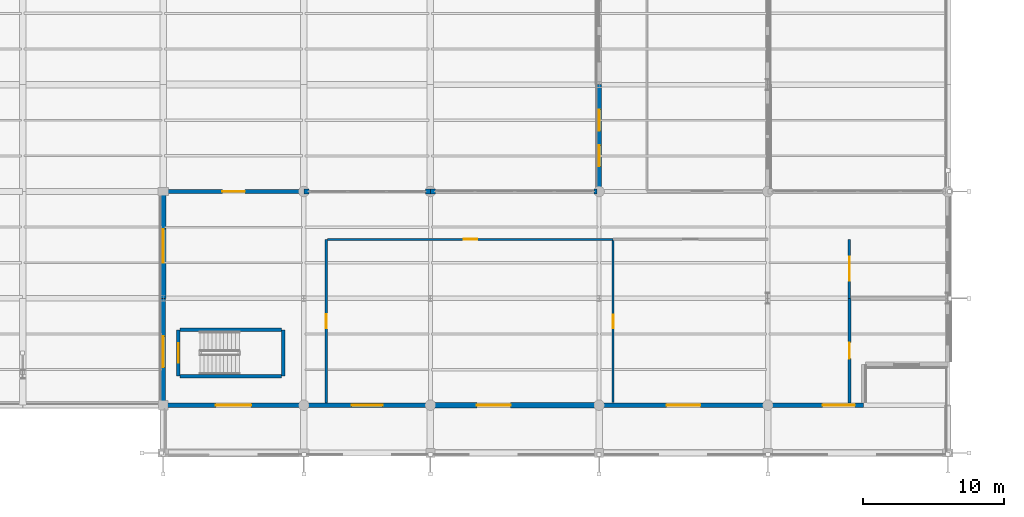
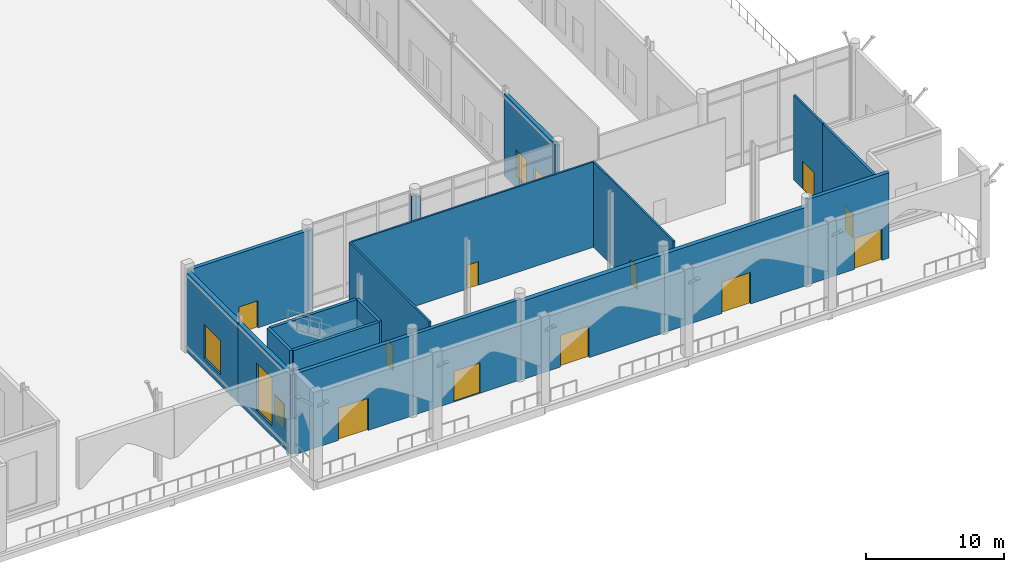
# One storey, part 142 of 176: 22 walls, 12 doors, 4 windows, 16 openings.
"""IFC4 building model written with IfcOpenShell, lengths in metres."""

from ifc_helpers import new_model, si_unit, direction, frame, frame_2d, origin, place, context, subcontext, project, spatial, rectangle, extrude, material, layer, layer_set, type_object, element, fill, save


model = new_model("IFC4")

# Units and contexts
model_context = context("Model", 3, precision=1e-05, world=origin(), true_north=direction((0.0, 1.0)))
body_context = subcontext(model_context, "Body", "Model", "MODEL_VIEW")
ifc_project = project(units=[si_unit("LENGTHUNIT", "METRE"), si_unit("AREAUNIT", "SQUARE_METRE"), si_unit("VOLUMEUNIT", "CUBIC_METRE"), si_unit("PLANEANGLEUNIT", "RADIAN"), si_unit("MASSUNIT", "GRAM", prefix="KILO")], contexts=[model_context])

# Site, building, storey
site_placement = place(None, origin())
site = spatial("IfcSite", under=ifc_project, at=site_placement, CompositionType="ELEMENT")
building_placement = place(site_placement, origin())
building = spatial("IfcBuilding", under=site, at=building_placement, Name="Vekula Escarpment Museum", CompositionType="ELEMENT")
storey_placement = place(building_placement, origin())
storey = spatial("IfcBuildingStorey", under=building, at=storey_placement, Name="L01", CompositionType="ELEMENT", Elevation=0.0)

# Wall, opening, door
ifc_material_1 = material(Name="Inkisi arkosic sandstone masonry", Category="masonry")
ifc_layer_1 = layer(ifc_material_1, 0.300048828125)
ifc_layer_set_1 = layer_set([ifc_layer_1], Name="Inkisi arkosic sandstone masonry")
wall_type_1 = type_object("IfcWallType", Name="WL-ALM-300", PredefinedType="SOLIDWALL", material=ifc_layer_set_1)
wall_1_placement = place(storey_placement, frame((136.0, 15.199951171875, 0.0), z_axis=(0.0, 0.0, 1.0), x_axis=(1.0, 0.0, 0.0)))
wall_1 = element("IfcWall", 1, at=wall_1_placement, inside=storey, type_object=wall_type_1, Name="Exterior Wall WL-EXT-L01-0103", PredefinedType="SOLIDWALL", context=body_context, shape_type="SweptSolid", body=[
    extrude(rectangle(XDim=10.0, YDim=0.300048828125, at=frame_2d((5.0, 0.0))), origin(), (0.0, 0.0, 1.0), 7.125),
])
opening_1_placement = place(wall_1_placement, frame((4.199951171875, 0.0, 0.0)))
opening_1 = element("IfcOpeningElement", 2, at=opening_1_placement, cuts=wall_1, Name="Opening D-CY03", PredefinedType="OPENING", context=body_context, shape_type="SweptSolid", body=[
    extrude(rectangle(XDim=1.60009765625, YDim=2.39990234375, at=frame_2d((0.800048828125, 1.199951171875))), frame((0.0, 0.159912109375, 0.0), z_axis=(0.0, -1.0, 0.0), x_axis=(1.0, 0.0, 0.0)), (0.0, 0.0, 1.0), 0.320068359375),
])
ifc_material_2 = material(Name="Thermally broken glazed terrace door", Category="steel")
door_type_1 = type_object("IfcDoorType", Name="DR-TER-1600x2400", OperationType="NOTDEFINED", PredefinedType="DOOR", material=ifc_material_2)
door_1_placement = place(opening_1_placement, origin())
door_1 = element("IfcDoor", 3, at=door_1_placement, inside=storey, type_object=door_type_1, Name="Southeast Avlu Courtyard Door D-CY03", OperationType="SINGLE_SWING_LEFT", OverallHeight=2.39990234375, OverallWidth=1.60009765625, PredefinedType="DOOR", context=body_context, shape_type="SweptSolid", body=[
    extrude(rectangle(XDim=1.60009765625, YDim=2.39990234375, at=frame_2d((0.800048828125, 1.199951171875))), frame((0.0, 0.02490234375, 0.0), z_axis=(0.0, -1.0, 0.0), x_axis=(1.0, 0.0, 0.0)), (0.0, 0.0, 1.0), 0.050048828125),
])
fill(opening_1, door_1)

wall_2_placement = place(storey_placement, frame((155.0, 0.0, 0.0), z_axis=(0.0, 0.0, 1.0), x_axis=(-1.0, 0.0, 0.0)))
wall_2 = element("IfcWall", 4, at=wall_2_placement, inside=storey, type_object=wall_type_1, Name="Exterior Wall WL-EXT-L01-0107", PredefinedType="SOLIDWALL", context=body_context, shape_type="SweptSolid", body=[
    extrude(rectangle(XDim=9.0, YDim=0.300048828125, at=frame_2d((4.5, 0.0))), origin(), (0.0, 0.0, 1.0), 7.135009765625),
])
opening_2_placement = place(wall_2_placement, frame((3.39990234375, 0.0, 0.0)))
opening_2 = element("IfcOpeningElement", 5, at=opening_2_placement, cuts=wall_2, Name="Opening D-EX19", PredefinedType="OPENING", context=body_context, shape_type="SweptSolid", body=[
    extrude(rectangle(XDim=2.199951171875, YDim=2.699951171875, at=frame_2d((1.10009765625, 1.35009765625))), frame((0.0, 0.159912109375, 0.0), z_axis=(0.0, -1.0, 0.0), x_axis=(1.0, 0.0, 0.0)), (0.0, 0.0, 1.0), 0.320068359375),
])
ifc_material_3 = material(Name="Bronze-anodized glazed exit door", Category="aluminium")
door_type_2 = type_object("IfcDoorType", Name="DR-EX-2200x2700", OperationType="NOTDEFINED", PredefinedType="DOOR", material=ifc_material_3)
door_2_placement = place(opening_2_placement, origin())
door_2 = element("IfcDoor", 6, at=door_2_placement, inside=storey, type_object=door_type_2, Name="South Courtyard Center Exit D-EX19", OperationType="SINGLE_SWING_LEFT", OverallHeight=2.699951171875, OverallWidth=2.199951171875, PredefinedType="DOOR", context=body_context, shape_type="SweptSolid", body=[
    extrude(rectangle(XDim=2.199951171875, YDim=2.699951171875, at=frame_2d((1.10009765625, 1.35009765625))), frame((0.0, 0.02490234375, 0.0), z_axis=(0.0, -1.0, 0.0), x_axis=(1.0, 0.0, 0.0)), (0.0, 0.0, 1.0), 0.050048828125),
])
fill(opening_2, door_2)

# Wall, openings, windows
ifc_material_4 = material(Name="Inkisi arkosic sandstone masonry", Category="masonry")
ifc_layer_2 = layer(ifc_material_4, 0.320068359375)
ifc_layer_set_2 = layer_set([ifc_layer_2], Name="Inkisi arkosic sandstone masonry")
wall_type_2 = type_object("IfcWallType", Name="WL-ALM-320", PredefinedType="SOLIDWALL", material=ifc_layer_set_2)
wall_3_placement = place(storey_placement, frame((167.0, 15.199951171875, 0.0), z_axis=(0.0, 0.0, 1.0), x_axis=(0.0, 1.0, 0.0)))
wall_3 = element("IfcWall", 7, at=wall_3_placement, inside=storey, type_object=wall_type_2, Name="Exterior Wall WL-EXT-L01-0098", PredefinedType="SOLIDWALL", context=body_context, shape_type="SweptSolid", body=[
    extrude(rectangle(XDim=7.60009765625, YDim=0.320068359375, at=frame_2d((3.800048828125, 0.0))), origin(), (0.0, 0.0, 1.0), 7.235107421875),
])
opening_3_placement = place(wall_3_placement, frame((1.783203125, 0.0, 0.949951171875)))
opening_3 = element("IfcOpeningElement", 8, at=opening_3_placement, cuts=wall_3, Name="Opening WN-06", PredefinedType="OPENING", context=body_context, shape_type="SweptSolid", body=[
    extrude(rectangle(XDim=1.5, YDim=2.39990234375, at=frame_2d((0.75, 1.199951171875))), frame((0.0, 0.169921875, 0.0), z_axis=(0.0, -1.0, 0.0), x_axis=(1.0, 0.0, 0.0)), (0.0, 0.0, 1.0), 0.340087890625),
])
opening_4_placement = place(wall_3_placement, frame((4.316650390625, 0.0, 0.949951171875)))
opening_4 = element("IfcOpeningElement", 9, at=opening_4_placement, cuts=wall_3, Name="Opening WN-06", PredefinedType="OPENING", context=body_context, shape_type="SweptSolid", body=[
    extrude(rectangle(XDim=1.5, YDim=2.39990234375, at=frame_2d((0.75, 1.199951171875))), frame((0.0, 0.169921875, 0.0), z_axis=(0.0, -1.0, 0.0), x_axis=(1.0, 0.0, 0.0)), (0.0, 0.0, 1.0), 0.340087890625),
])
ifc_material_5 = material(Name="Double solar-control low-E glass", Category="glass")
window_type_1 = type_object("IfcWindowType", Name="WN-CUMBA-15x24", PartitioningType="SINGLE_PANEL", PredefinedType="WINDOW", material=ifc_material_5)
window_1_placement = place(opening_3_placement, origin())
window_1 = element("IfcWindow", 10, at=window_1_placement, inside=storey, type_object=window_type_1, Name="Window L01-0013", OverallHeight=2.39990234375, OverallWidth=1.5, PartitioningType="SINGLE_PANEL", PredefinedType="WINDOW", context=body_context, shape_type="SweptSolid", body=[
    extrude(rectangle(XDim=1.5, YDim=2.39990234375, at=frame_2d((0.75, 1.199951171875))), frame((0.0, 0.030029296875, 0.0), z_axis=(0.0, -1.0, 0.0), x_axis=(1.0, 0.0, 0.0)), (0.0, 0.0, 1.0), 0.06005859375),
])
fill(opening_3, window_1)
window_2_placement = place(opening_4_placement, origin())
window_2 = element("IfcWindow", 11, at=window_2_placement, inside=storey, type_object=window_type_1, Name="Window L01-0014", OverallHeight=2.39990234375, OverallWidth=1.5, PartitioningType="SINGLE_PANEL", PredefinedType="WINDOW", context=body_context, shape_type="SweptSolid", body=[
    extrude(rectangle(XDim=1.5, YDim=2.39990234375, at=frame_2d((0.75, 1.199951171875))), frame((0.0, 0.030029296875, 0.0), z_axis=(0.0, -1.0, 0.0), x_axis=(1.0, 0.0, 0.0)), (0.0, 0.0, 1.0), 0.06005859375),
])
fill(opening_4, window_2)

# Wall, opening, door
wall_4_placement = place(storey_placement, frame((146.0, 0.0, 0.0), z_axis=(0.0, 0.0, 1.0), x_axis=(-1.0, 0.0, 0.0)))
wall_4 = element("IfcWall", 12, at=wall_4_placement, inside=storey, type_object=wall_type_2, Name="Exterior Wall WL-EXT-L01-0106", PredefinedType="SOLIDWALL", context=body_context, shape_type="SweptSolid", body=[
    extrude(rectangle(XDim=9.821044921875, YDim=0.320068359375, at=frame_2d((4.91064453125, 0.0))), origin(), (0.0, 0.0, 1.0), 7.135009765625),
])
opening_5_placement = place(wall_4_placement, frame((3.75, 0.0, 0.0)))
opening_5 = element("IfcOpeningElement", 13, at=opening_5_placement, cuts=wall_4, Name="Opening D-EX10", PredefinedType="OPENING", context=body_context, shape_type="SweptSolid", body=[
    extrude(rectangle(XDim=2.5, YDim=2.85009765625, at=frame_2d((1.25, 1.425048828125))), frame((0.0, 0.169921875, 0.0), z_axis=(0.0, -1.0, 0.0), x_axis=(1.0, 0.0, 0.0)), (0.0, 0.0, 1.0), 0.340087890625),
])
ifc_material_6 = material(Name="Bronze-anodized glazed exit door", Category="aluminium")
door_type_3 = type_object("IfcDoorType", Name="DR-EX-2500x2850", OperationType="NOTDEFINED", PredefinedType="DOOR", material=ifc_material_6)
door_3_placement = place(opening_5_placement, origin())
door_3 = element("IfcDoor", 14, at=door_3_placement, inside=storey, type_object=door_type_3, Name="Southeast Foyer West Exit D-EX10", OperationType="SINGLE_SWING_RIGHT", OverallHeight=2.85009765625, OverallWidth=2.5, PredefinedType="DOOR", context=body_context, shape_type="SweptSolid", body=[
    extrude(rectangle(XDim=2.5, YDim=2.85009765625, at=frame_2d((1.25, 1.425048828125))), frame((0.0, 0.02490234375, 0.0), z_axis=(0.0, -1.0, 0.0), x_axis=(1.0, 0.0, 0.0)), (0.0, 0.0, 1.0), 0.050048828125),
])
fill(opening_5, door_3)

wall_5_placement = place(storey_placement, frame((185.800048828125, 0.0, 0.0), z_axis=(0.0, 0.0, 1.0), x_axis=(-1.0, 0.0, 0.0)))
wall_5 = element("IfcWall", 15, at=wall_5_placement, inside=storey, type_object=wall_type_2, Name="Exterior Wall WL-EXT-L01-0110", PredefinedType="SOLIDWALL", context=body_context, shape_type="SweptSolid", body=[
    extrude(rectangle(XDim=6.800048828125, YDim=0.320068359375, at=frame_2d((3.39990234375, 0.0))), origin(), (0.0, 0.0, 1.0), 7.5400390625),
])
opening_6_placement = place(wall_5_placement, frame((0.60009765625, 0.0, 0.0)))
opening_6 = element("IfcOpeningElement", 16, at=opening_6_placement, cuts=wall_5, Name="Opening D-EX11", PredefinedType="OPENING", context=body_context, shape_type="SweptSolid", body=[
    extrude(rectangle(XDim=2.300048828125, YDim=2.75, at=frame_2d((1.14990234375, 1.375))), frame((0.0, 0.169921875, 0.0), z_axis=(0.0, -1.0, 0.0), x_axis=(1.0, 0.0, 0.0)), (0.0, 0.0, 1.0), 0.340087890625),
])
ifc_material_7 = material(Name="Bronze-anodized glazed exit door", Category="aluminium")
door_type_4 = type_object("IfcDoorType", Name="DR-EX-2300x2750", OperationType="NOTDEFINED", PredefinedType="DOOR", material=ifc_material_7)
door_4_placement = place(opening_6_placement, origin())
door_4 = element("IfcDoor", 17, at=door_4_placement, inside=storey, type_object=door_type_4, Name="Southeast Pavilion East Exit D-EX11", OperationType="SINGLE_SWING_LEFT", OverallHeight=2.75, OverallWidth=2.300048828125, PredefinedType="DOOR", context=body_context, shape_type="SweptSolid", body=[
    extrude(rectangle(XDim=2.300048828125, YDim=2.75, at=frame_2d((1.14990234375, 1.375))), frame((0.0, 0.02490234375, 0.0), z_axis=(0.0, -1.0, 0.0), x_axis=(1.0, 0.0, 0.0)), (0.0, 0.0, 1.0), 0.050048828125),
])
fill(opening_6, door_4)

# Walls
ifc_material_8 = material(Name="Inkisi arkosic sandstone masonry", Category="masonry")
ifc_layer_3 = layer(ifc_material_8, 0.35009765625)
ifc_layer_set_3 = layer_set([ifc_layer_3], Name="Inkisi arkosic sandstone masonry")
wall_type_3 = type_object("IfcWallType", Name="WL-ALM-350", PredefinedType="SOLIDWALL", material=ifc_layer_set_3)
wall_6_placement = place(storey_placement, frame((166.8359375, 15.199951171875, 0.0), z_axis=(0.0, 0.0, 1.0), x_axis=(-1.0, 0.0, 0.0)))
element("IfcWall", 18, at=wall_6_placement, inside=storey, type_object=wall_type_3, Name="Facade Jamb Pier L01-0099A", PredefinedType="SOLIDWALL", context=body_context, shape_type="SweptSolid", body=[
    extrude(rectangle(XDim=0.196044921875, YDim=0.35009765625, at=frame_2d((0.09814453125, 0.0))), origin(), (0.0, 0.0, 1.0), 7.5400390625),
])
wall_7_placement = place(storey_placement, frame((155.360107421875, 15.199951171875, 0.0), z_axis=(0.0, 0.0, 1.0), x_axis=(-1.0, 0.0, 0.0)))
element("IfcWall", 19, at=wall_7_placement, inside=storey, type_object=wall_type_3, Name="Facade Jamb Pier L01-0100B", PredefinedType="SOLIDWALL", context=body_context, shape_type="SweptSolid", body=[
    extrude(rectangle(XDim=0.360107421875, YDim=0.35009765625, at=frame_2d((0.18017578125, 0.0))), origin(), (0.0, 0.0, 1.0), 6.925048828125),
])
for number, where, z_axis, x_axis, name in (
    (20, (155.0, 15.199951171875, 0.0), (0.0, 0.0, 1.0), (-1.0, 0.0, 0.0), "Facade Jamb Pier L01-0101A"),
    (21, (146.360107421875, 15.199951171875, 0.0), (0.0, 0.0, 1.0), (-1.0, 0.0, 0.0), "Facade Jamb Pier L01-0102B"),
):
    element("IfcWall", number, at=place(storey_placement, frame(where, z_axis=z_axis, x_axis=x_axis)), inside=storey, type_object=wall_type_3, Name=name, PredefinedType="SOLIDWALL", context=body_context, shape_type="SweptSolid", body=[
        extrude(rectangle(XDim=0.360107421875, YDim=0.35009765625, at=frame_2d((0.18017578125, 0.0))), origin(), (0.0, 0.0, 1.0), 7.125),
    ])

# Wall, opening, window
wall_8_placement = place(storey_placement, frame((136.0, 0.0, 0.0), z_axis=(0.0, 0.0, 1.0), x_axis=(0.0, 1.0, 0.0)))
wall_8 = element("IfcWall", 22, at=wall_8_placement, inside=storey, type_object=wall_type_3, Name="Exterior Wall WL-EXT-L01-0105", PredefinedType="SOLIDWALL", context=body_context, shape_type="SweptSolid", body=[
    extrude(rectangle(XDim=7.60009765625, YDim=0.35009765625, at=frame_2d((3.800048828125, 0.0))), origin(), (0.0, 0.0, 1.0), 7.02490234375),
])
opening_7_placement = place(wall_8_placement, frame((2.699951171875, 0.0, 0.949951171875)))
opening_7 = element("IfcOpeningElement", 23, at=opening_7_placement, cuts=wall_8, Name="Opening WN-04", PredefinedType="OPENING", context=body_context, shape_type="SweptSolid", body=[
    extrude(rectangle(XDim=2.199951171875, YDim=4.199951171875, at=frame_2d((1.10009765625, 2.10009765625))), frame((0.0, 0.18505859375, 0.0), z_axis=(0.0, -1.0, 0.0), x_axis=(1.0, 0.0, 0.0)), (0.0, 0.0, 1.0), 0.3701171875),
])
ifc_material_9 = material(Name="Double solar-control low-E glass", Category="glass")
window_type_2 = type_object("IfcWindowType", Name="WN-ARCH-22x42", PartitioningType="DOUBLE_PANEL_VERTICAL", PredefinedType="WINDOW", material=ifc_material_9)
window_3_placement = place(opening_7_placement, origin())
window_3 = element("IfcWindow", 24, at=window_3_placement, inside=storey, type_object=window_type_2, Name="Window L01-0016", OverallHeight=4.199951171875, OverallWidth=2.199951171875, PartitioningType="SINGLE_PANEL", PredefinedType="WINDOW", context=body_context, shape_type="SweptSolid", body=[
    extrude(rectangle(XDim=2.199951171875, YDim=4.199951171875, at=frame_2d((1.10009765625, 2.10009765625))), frame((0.0, 0.030029296875, 0.0), z_axis=(0.0, -1.0, 0.0), x_axis=(1.0, 0.0, 0.0)), (0.0, 0.0, 1.0), 0.06005859375),
])
fill(opening_7, window_3)

# Wall, opening, door
wall_9_placement = place(storey_placement, frame((179.0, 0.0, 0.0), z_axis=(0.0, 0.0, 1.0), x_axis=(-1.0, 0.0, 0.0)))
wall_9 = element("IfcWall", 25, at=wall_9_placement, inside=storey, type_object=wall_type_3, Name="Exterior Wall WL-EXT-L01-0109", PredefinedType="SOLIDWALL", context=body_context, shape_type="SweptSolid", body=[
    extrude(rectangle(XDim=12.0, YDim=0.35009765625, at=frame_2d((6.0, 0.0))), origin(), (0.0, 0.0, 1.0), 6.925048828125),
])
opening_8_placement = place(wall_9_placement, frame((4.800048828125, 0.0, 0.0)))
opening_8 = element("IfcOpeningElement", 26, at=opening_8_placement, cuts=wall_9, Name="Opening D-EX02", PredefinedType="OPENING", context=body_context, shape_type="SweptSolid", body=[
    extrude(rectangle(XDim=2.39990234375, YDim=2.800048828125, at=frame_2d((1.199951171875, 1.39990234375))), frame((0.0, 0.18505859375, 0.0), z_axis=(0.0, -1.0, 0.0), x_axis=(1.0, 0.0, 0.0)), (0.0, 0.0, 1.0), 0.3701171875),
])
ifc_material_10 = material(Name="Bronze-anodized glazed exit door", Category="aluminium")
door_type_5 = type_object("IfcDoorType", Name="DR-EX-2400x2800", OperationType="NOTDEFINED", PredefinedType="DOOR", material=ifc_material_10)
door_5_placement = place(opening_8_placement, origin())
door_5 = element("IfcDoor", 27, at=door_5_placement, inside=storey, type_object=door_type_5, Name="Main Entrance Exit Door D-EX02", OperationType="SINGLE_SWING_RIGHT", OverallHeight=2.800048828125, OverallWidth=2.39990234375, PredefinedType="DOOR", context=body_context, shape_type="SweptSolid", body=[
    extrude(rectangle(XDim=2.39990234375, YDim=2.800048828125, at=frame_2d((1.199951171875, 1.39990234375))), frame((0.0, 0.02490234375, 0.0), z_axis=(0.0, -1.0, 0.0), x_axis=(1.0, 0.0, 0.0)), (0.0, 0.0, 1.0), 0.050048828125),
])
fill(opening_8, door_5)

# Wall, opening, window
ifc_material_11 = material(Name="Inkisi arkosic sandstone masonry", Category="masonry")
ifc_layer_4 = layer(ifc_material_11, 0.3798828125)
ifc_layer_set_4 = layer_set([ifc_layer_4], Name="Inkisi arkosic sandstone masonry")
wall_type_4 = type_object("IfcWallType", Name="WL-ALM-380", PredefinedType="SOLIDWALL", material=ifc_layer_set_4)
wall_10_placement = place(storey_placement, frame((136.0, 7.60009765625, 0.0), z_axis=(0.0, 0.0, 1.0), x_axis=(0.0, 1.0, 0.0)))
wall_10 = element("IfcWall", 28, at=wall_10_placement, inside=storey, type_object=wall_type_4, Name="Exterior Wall WL-EXT-L01-0104", PredefinedType="SOLIDWALL", context=body_context, shape_type="SweptSolid", body=[
    extrude(rectangle(XDim=7.44580078125, YDim=0.3798828125, at=frame_2d((3.722900390625, 0.0))), origin(), (0.0, 0.0, 1.0), 7.02490234375),
])
opening_9_placement = place(wall_10_placement, frame((2.52294921875, 0.0, 0.949951171875)))
opening_9 = element("IfcOpeningElement", 29, at=opening_9_placement, cuts=wall_10, Name="Opening WN-14", PredefinedType="OPENING", context=body_context, shape_type="SweptSolid", body=[
    extrude(rectangle(XDim=2.39990234375, YDim=3.0, at=frame_2d((1.199951171875, 1.5))), frame((0.0, 0.199951171875, 0.0), z_axis=(0.0, -1.0, 0.0), x_axis=(1.0, 0.0, 0.0)), (0.0, 0.0, 1.0), 0.39990234375),
])
ifc_material_12 = material(Name="Double solar-control low-E glass", Category="glass")
window_type_3 = type_object("IfcWindowType", Name="WN-CAFE-24x30", PartitioningType="TRIPLE_PANEL_VERTICAL", PredefinedType="WINDOW", material=ifc_material_12)
window_4_placement = place(opening_9_placement, origin())
window_4 = element("IfcWindow", 30, at=window_4_placement, inside=storey, type_object=window_type_3, Name="Window L01-0015", OverallHeight=3.0, OverallWidth=2.39990234375, PartitioningType="SINGLE_PANEL", PredefinedType="WINDOW", context=body_context, shape_type="SweptSolid", body=[
    extrude(rectangle(XDim=2.39990234375, YDim=3.0, at=frame_2d((1.199951171875, 1.5))), frame((0.0, 0.030029296875, 0.0), z_axis=(0.0, -1.0, 0.0), x_axis=(1.0, 0.0, 0.0)), (0.0, 0.0, 1.0), 0.06005859375),
])
fill(opening_9, window_4)

# Wall, opening, door
wall_11_placement = place(storey_placement, frame((167.0, 0.0, 0.0), z_axis=(0.0, 0.0, 1.0), x_axis=(-1.0, 0.0, 0.0)))
wall_11 = element("IfcWall", 31, at=wall_11_placement, inside=storey, type_object=wall_type_4, Name="Exterior Wall WL-EXT-L01-0108", PredefinedType="SOLIDWALL", context=body_context, shape_type="SweptSolid", body=[
    extrude(rectangle(XDim=12.0, YDim=0.3798828125, at=frame_2d((6.0, 0.0))), origin(), (0.0, 0.0, 1.0), 6.925048828125),
])
opening_10_placement = place(wall_11_placement, frame((6.300048828125, 0.0, 0.0)))
opening_10 = element("IfcOpeningElement", 32, at=opening_10_placement, cuts=wall_11, Name="Opening D-EX01", PredefinedType="OPENING", context=body_context, shape_type="SweptSolid", body=[
    extrude(rectangle(XDim=2.39990234375, YDim=2.800048828125, at=frame_2d((1.199951171875, 1.39990234375))), frame((0.0, 0.199951171875, 0.0), z_axis=(0.0, -1.0, 0.0), x_axis=(1.0, 0.0, 0.0)), (0.0, 0.0, 1.0), 0.39990234375),
])
door_6_placement = place(opening_10_placement, origin())
door_6 = element("IfcDoor", 33, at=door_6_placement, inside=storey, type_object=door_type_5, Name="Main Entrance Exit Door D-EX01", OperationType="SINGLE_SWING_LEFT", OverallHeight=2.800048828125, OverallWidth=2.39990234375, PredefinedType="DOOR", context=body_context, shape_type="SweptSolid", body=[
    extrude(rectangle(XDim=2.39990234375, YDim=2.800048828125, at=frame_2d((1.199951171875, 1.39990234375))), frame((0.0, 0.02490234375, 0.0), z_axis=(0.0, -1.0, 0.0), x_axis=(1.0, 0.0, 0.0)), (0.0, 0.0, 1.0), 0.050048828125),
])
fill(opening_10, door_6)

ifc_material_13 = material(Name="Concrete C35/45", Category="concrete")
ifc_layer_5 = layer(ifc_material_13, 0.25)
ifc_layer_set_5 = layer_set([ifc_layer_5], Name="Concrete C35/45")
wall_type_5 = type_object("IfcWallType", Name="WL-CORE-250", PredefinedType="SHEAR", material=ifc_layer_set_5)
wall_12_placement = place(storey_placement, frame((137.074951171875, 2.074951171875, 0.0), z_axis=(0.0, 0.0, 1.0), x_axis=(0.0, 1.0, 0.0)))
wall_12 = element("IfcWall", 34, at=wall_12_placement, inside=storey, type_object=wall_type_5, Name="Stair Core Wall ST-06 L01 W", PredefinedType="SHEAR", context=body_context, shape_type="SweptSolid", body=[
    extrude(rectangle(XDim=3.2900390625, YDim=0.25, at=frame_2d((1.64501953125, 0.0))), origin(), (0.0, 0.0, 1.0), 7.5400390625),
])
opening_11_placement = place(wall_12_placement, frame((0.945068359375, 0.0, 0.0)))
opening_11 = element("IfcOpeningElement", 35, at=opening_11_placement, cuts=wall_12, Name="Opening DR-FD60", PredefinedType="OPENING", context=body_context, shape_type="SweptSolid", body=[
    extrude(rectangle(XDim=1.39990234375, YDim=2.199951171875, at=frame_2d((0.699951171875, 1.10009765625))), frame((0.0, 0.135009765625, 0.0), z_axis=(0.0, -1.0, 0.0), x_axis=(1.0, 0.0, 0.0)), (0.0, 0.0, 1.0), 0.27001953125),
])
ifc_material_14 = material(Name="Fire-rated steel stair door", Category="steel")
door_type_6 = type_object("IfcDoorType", Name="DR-STAIR-1400x2200", OperationType="NOTDEFINED", PredefinedType="DOOR", material=ifc_material_14)
door_7_placement = place(opening_11_placement, origin())
door_7 = element("IfcDoor", 36, at=door_7_placement, inside=storey, type_object=door_type_6, Name="Protected Exit Stair Door ST-06 L01", OperationType="SINGLE_SWING_RIGHT", OverallHeight=2.199951171875, OverallWidth=1.39990234375, PredefinedType="DOOR", context=body_context, shape_type="SweptSolid", body=[
    extrude(rectangle(XDim=1.39990234375, YDim=2.199951171875, at=frame_2d((0.699951171875, 1.10009765625))), frame((0.0, 0.02490234375, 0.0), z_axis=(0.0, -1.0, 0.0), x_axis=(1.0, 0.0, 0.0)), (0.0, 0.0, 1.0), 0.050048828125),
])
fill(opening_11, door_7)

# Walls
wall_13_placement = place(storey_placement, frame((144.52490234375, 2.074951171875, 0.0), z_axis=(0.0, 0.0, 1.0), x_axis=(0.0, 1.0, 0.0)))
element("IfcWall", 37, at=wall_13_placement, inside=storey, type_object=wall_type_5, Name="Stair Core Wall ST-06 L01 E", PredefinedType="SHEAR", context=body_context, shape_type="SweptSolid", body=[
    extrude(rectangle(XDim=3.2900390625, YDim=0.25, at=frame_2d((1.64501953125, 0.0))), origin(), (0.0, 0.0, 1.0), 7.5400390625),
])
for number, where, z_axis, x_axis, name in (
    (38, (137.2041015625, 2.074951171875, 0.0), (0.0, 0.0, 1.0), (1.0, 0.0, 0.0), "Stair Core Wall ST-06 L01 S"),
    (39, (137.2041015625, 5.364990234375, 0.0), (0.0, 0.0, 1.0), (1.0, 0.0, 0.0), "Stair Core Wall ST-06 L01 N"),
):
    element("IfcWall", number, at=place(storey_placement, frame(where, z_axis=z_axis, x_axis=x_axis)), inside=storey, type_object=wall_type_5, Name=name, PredefinedType="SHEAR", context=body_context, shape_type="SweptSolid", body=[
        extrude(rectangle(XDim=7.19189453125, YDim=0.25, at=frame_2d((3.595947265625, 0.0))), origin(), (0.0, 0.0, 1.0), 7.5400390625),
    ])

# Wall, opening, door
ifc_material_15 = material(Name="Concrete C35/45", Category="concrete")
ifc_layer_6 = layer(ifc_material_15, 0.199951171875)
ifc_layer_set_6 = layer_set([ifc_layer_6], Name="Concrete C35/45")
wall_type_6 = type_object("IfcWallType", Name="WL-FFL-200", PredefinedType="PARTITIONING", material=ifc_layer_set_6)
wall_14_placement = place(storey_placement, frame((184.800048828125, 0.1640625, 0.0), z_axis=(0.0, 0.0, 1.0), x_axis=(0.0, 1.0, 0.0)))
wall_14 = element("IfcWall", 40, at=wall_14_placement, inside=storey, type_object=wall_type_6, Name="Interior Partition WL-INT-L01-0090", PredefinedType="PARTITIONING", context=body_context, shape_type="SweptSolid", body=[
    extrude(rectangle(XDim=7.43603515625, YDim=0.199951171875, at=frame_2d((3.718017578125, 0.0))), origin(), (0.0, 0.0, 1.0), 7.5400390625),
])
opening_12_placement = place(wall_14_placement, frame((3.14306640625, 0.0, 0.0)))
opening_12 = element("IfcOpeningElement", 41, at=opening_12_placement, cuts=wall_14, Name="Opening DR-FD60C", PredefinedType="OPENING", context=body_context, shape_type="SweptSolid", body=[
    extrude(rectangle(XDim=1.14990234375, YDim=2.14990234375, at=frame_2d((0.574951171875, 1.074951171875))), frame((0.0, 0.10986328125, 0.0), z_axis=(0.0, -1.0, 0.0), x_axis=(1.0, 0.0, 0.0)), (0.0, 0.0, 1.0), 0.219970703125),
])
ifc_material_16 = material(Name="Fire-rated command room steel door", Category="steel")
door_type_7 = type_object("IfcDoorType", Name="DR-FCR-1150x2150", OperationType="NOTDEFINED", PredefinedType="DOOR", material=ifc_material_16)
door_8_placement = place(opening_12_placement, origin())
door_8 = element("IfcDoor", 42, at=door_8_placement, inside=storey, type_object=door_type_7, Name="Interior Door L01-081", OperationType="SINGLE_SWING_RIGHT", OverallHeight=2.14990234375, OverallWidth=1.14990234375, PredefinedType="DOOR", context=body_context, shape_type="SweptSolid", body=[
    extrude(rectangle(XDim=1.14990234375, YDim=2.14990234375, at=frame_2d((0.574951171875, 1.074951171875))), frame((0.0, 0.02490234375, 0.0), z_axis=(0.0, -1.0, 0.0), x_axis=(1.0, 0.0, 0.0)), (0.0, 0.0, 1.0), 0.050048828125),
])
fill(opening_12, door_8)

ifc_material_17 = material(Name="Gypsum board dry-lined partition", Category="gypsum")
ifc_layer_7 = layer(ifc_material_17, 0.14990234375)
ifc_layer_set_7 = layer_set([ifc_layer_7], Name="Gypsum board dry-lined partition")
wall_type_7 = type_object("IfcWallType", Name="WL-PART-150", PredefinedType="PARTITIONING", material=ifc_layer_set_7)
wall_15_placement = place(storey_placement, frame((147.68408203125, 11.800048828125, 0.0), z_axis=(0.0, 0.0, 1.0), x_axis=(1.0, 0.0, 0.0)))
wall_15 = element("IfcWall", 43, at=wall_15_placement, inside=storey, type_object=wall_type_7, Name="Interior Partition WL-INT-L01-0086", PredefinedType="PARTITIONING", context=body_context, shape_type="SweptSolid", body=[
    extrude(rectangle(XDim=20.31591796875, YDim=0.14990234375, at=frame_2d((10.157958984375, 0.0))), origin(), (0.0, 0.0, 1.0), 7.5400390625),
])
opening_13_placement = place(wall_15_placement, frame((9.68310546875, 0.0, 0.0)))
opening_13 = element("IfcOpeningElement", 44, at=opening_13_placement, cuts=wall_15, Name="Opening DR-OF09", PredefinedType="OPENING", context=body_context, shape_type="SweptSolid", body=[
    extrude(rectangle(XDim=0.949951171875, YDim=2.10009765625, at=frame_2d((0.47509765625, 1.050048828125))), frame((0.0, 0.0849609375, 0.0), z_axis=(0.0, -1.0, 0.0), x_axis=(1.0, 0.0, 0.0)), (0.0, 0.0, 1.0), 0.169921875),
])
ifc_material_18 = material(Name="Solid core timber office door", Category="wood")
door_type_8 = type_object("IfcDoorType", Name="DR-OFF-0950x2100", OperationType="NOTDEFINED", PredefinedType="DOOR", material=ifc_material_18)
door_9_placement = place(opening_13_placement, origin())
door_9 = element("IfcDoor", 45, at=door_9_placement, inside=storey, type_object=door_type_8, Name="Interior Door L01-077", OperationType="SINGLE_SWING_RIGHT", OverallHeight=2.10009765625, OverallWidth=0.949951171875, PredefinedType="DOOR", context=body_context, shape_type="SweptSolid", body=[
    extrude(rectangle(XDim=0.949951171875, YDim=2.10009765625, at=frame_2d((0.47509765625, 1.050048828125))), frame((0.0, 0.02490234375, 0.0), z_axis=(0.0, -1.0, 0.0), x_axis=(1.0, 0.0, 0.0)), (0.0, 0.0, 1.0), 0.050048828125),
])
fill(opening_13, door_9)

wall_16_placement = place(storey_placement, frame((168.0, 0.178955078125, 0.0), z_axis=(0.0, 0.0, 1.0), x_axis=(0.0, 1.0, 0.0)))
wall_16 = element("IfcWall", 46, at=wall_16_placement, inside=storey, type_object=wall_type_7, Name="Interior Partition WL-INT-L01-0089", PredefinedType="PARTITIONING", context=body_context, shape_type="SweptSolid", body=[
    extrude(rectangle(XDim=11.5419921875, YDim=0.14990234375, at=frame_2d((5.77099609375, 0.0))), origin(), (0.0, 0.0, 1.0), 7.5400390625),
])
opening_14_placement = place(wall_16_placement, frame((5.2958984375, 0.0, 0.0)))
opening_14 = element("IfcOpeningElement", 47, at=opening_14_placement, cuts=wall_16, Name="Opening DR-OF09", PredefinedType="OPENING", context=body_context, shape_type="SweptSolid", body=[
    extrude(rectangle(XDim=0.949951171875, YDim=2.10009765625, at=frame_2d((0.47509765625, 1.050048828125))), frame((0.0, 0.0849609375, 0.0), z_axis=(0.0, -1.0, 0.0), x_axis=(1.0, 0.0, 0.0)), (0.0, 0.0, 1.0), 0.169921875),
])
door_10_placement = place(opening_14_placement, origin())
door_10 = element("IfcDoor", 48, at=door_10_placement, inside=storey, type_object=door_type_8, Name="Interior Door L01-080", OperationType="SINGLE_SWING_LEFT", OverallHeight=2.10009765625, OverallWidth=0.949951171875, PredefinedType="DOOR", context=body_context, shape_type="SweptSolid", body=[
    extrude(rectangle(XDim=0.949951171875, YDim=2.10009765625, at=frame_2d((0.47509765625, 1.050048828125))), frame((0.0, 0.02490234375, 0.0), z_axis=(0.0, -1.0, 0.0), x_axis=(1.0, 0.0, 0.0)), (0.0, 0.0, 1.0), 0.050048828125),
])
fill(opening_14, door_10)

ifc_material_19 = material(Name="Gypsum board gallery partition", Category="gypsum")
ifc_layer_8 = layer(ifc_material_19, 0.159912109375)
ifc_layer_set_8 = layer_set([ifc_layer_8], Name="Gypsum board gallery partition")
wall_type_8 = type_object("IfcWallType", Name="WL-PART-160", PredefinedType="PARTITIONING", material=ifc_layer_set_8)
wall_17_placement = place(storey_placement, frame((147.60009765625, 0.154052734375, 0.0), z_axis=(0.0, 0.0, 1.0), x_axis=(0.0, 1.0, 0.0)))
wall_17 = element("IfcWall", 49, at=wall_17_placement, inside=storey, type_object=wall_type_8, Name="Interior Partition WL-INT-L01-0085", PredefinedType="PARTITIONING", context=body_context, shape_type="SweptSolid", body=[
    extrude(rectangle(XDim=11.64599609375, YDim=0.159912109375, at=frame_2d((5.822998046875, 0.0))), origin(), (0.0, 0.0, 1.0), 7.5400390625),
])
opening_15_placement = place(wall_17_placement, frame((5.322998046875, 0.0, 0.0)))
opening_15 = element("IfcOpeningElement", 50, at=opening_15_placement, cuts=wall_17, Name="Opening DR-OF10", PredefinedType="OPENING", context=body_context, shape_type="SweptSolid", body=[
    extrude(rectangle(XDim=1.0, YDim=2.14990234375, at=frame_2d((0.5, 1.074951171875))), frame((0.0, 0.08984375, 0.0), z_axis=(0.0, -1.0, 0.0), x_axis=(1.0, 0.0, 0.0)), (0.0, 0.0, 1.0), 0.179931640625),
])
ifc_material_20 = material(Name="Solid core timber study door", Category="wood")
door_type_9 = type_object("IfcDoorType", Name="DR-OFF-1000x2150", OperationType="NOTDEFINED", PredefinedType="DOOR", material=ifc_material_20)
door_11_placement = place(opening_15_placement, origin())
door_11 = element("IfcDoor", 51, at=door_11_placement, inside=storey, type_object=door_type_9, Name="Interior Door L01-076", OperationType="SINGLE_SWING_LEFT", OverallHeight=2.14990234375, OverallWidth=1.0, PredefinedType="DOOR", context=body_context, shape_type="SweptSolid", body=[
    extrude(rectangle(XDim=1.0, YDim=2.14990234375, at=frame_2d((0.5, 1.074951171875))), frame((0.0, 0.02490234375, 0.0), z_axis=(0.0, -1.0, 0.0), x_axis=(1.0, 0.0, 0.0)), (0.0, 0.0, 1.0), 0.050048828125),
])
fill(opening_15, door_11)

wall_18_placement = place(storey_placement, frame((184.800048828125, 7.60009765625, 0.0), z_axis=(0.0, 0.0, 1.0), x_axis=(0.0, 1.0, 0.0)))
wall_18 = element("IfcWall", 52, at=wall_18_placement, inside=storey, type_object=wall_type_8, Name="Interior Partition WL-INT-L01-0091", PredefinedType="PARTITIONING", context=body_context, shape_type="SweptSolid", body=[
    extrude(rectangle(XDim=4.199951171875, YDim=0.159912109375, at=frame_2d((2.10009765625, 0.0))), origin(), (0.0, 0.0, 1.0), 7.5400390625),
])
opening_16_placement = place(wall_18_placement, frame((1.25, 0.0, 0.0)))
opening_16 = element("IfcOpeningElement", 53, at=opening_16_placement, cuts=wall_18, Name="Opening DR-SP17", PredefinedType="OPENING", context=body_context, shape_type="SweptSolid", body=[
    extrude(rectangle(XDim=1.699951171875, YDim=2.449951171875, at=frame_2d((0.85009765625, 1.22509765625))), frame((0.0, 0.08984375, 0.0), z_axis=(0.0, -1.0, 0.0), x_axis=(1.0, 0.0, 0.0)), (0.0, 0.0, 1.0), 0.179931640625),
])
ifc_material_21 = material(Name="Bronze-framed bookshop door", Category="steel")
door_type_10 = type_object("IfcDoorType", Name="DR-SHP-1700x2450", OperationType="NOTDEFINED", PredefinedType="DOOR", material=ifc_material_21)
door_12_placement = place(opening_16_placement, origin())
door_12 = element("IfcDoor", 54, at=door_12_placement, inside=storey, type_object=door_type_10, Name="Interior Door L01-082", OperationType="SINGLE_SWING_LEFT", OverallHeight=2.449951171875, OverallWidth=1.699951171875, PredefinedType="DOOR", context=body_context, shape_type="SweptSolid", body=[
    extrude(rectangle(XDim=1.699951171875, YDim=2.449951171875, at=frame_2d((0.85009765625, 1.22509765625))), frame((0.0, 0.02490234375, 0.0), z_axis=(0.0, -1.0, 0.0), x_axis=(1.0, 0.0, 0.0)), (0.0, 0.0, 1.0), 0.050048828125),
])
fill(opening_16, door_12)

save(model, "model.ifc")
